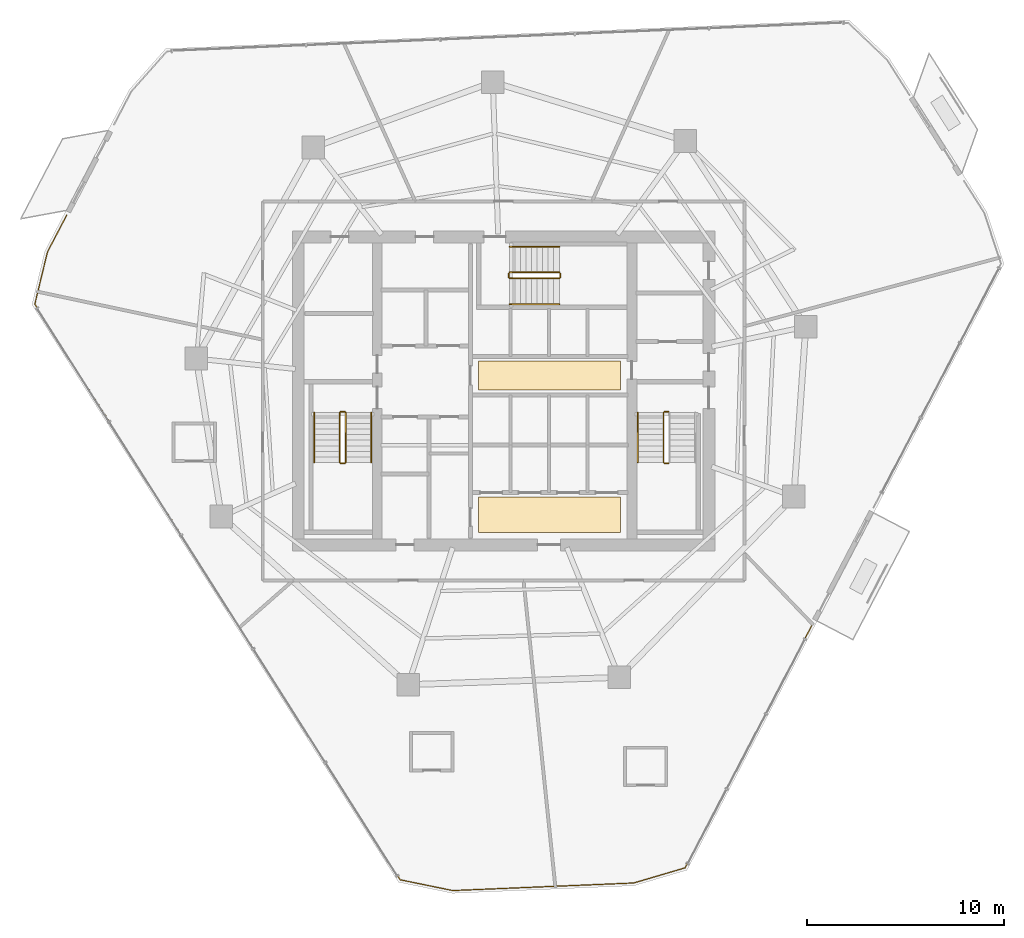
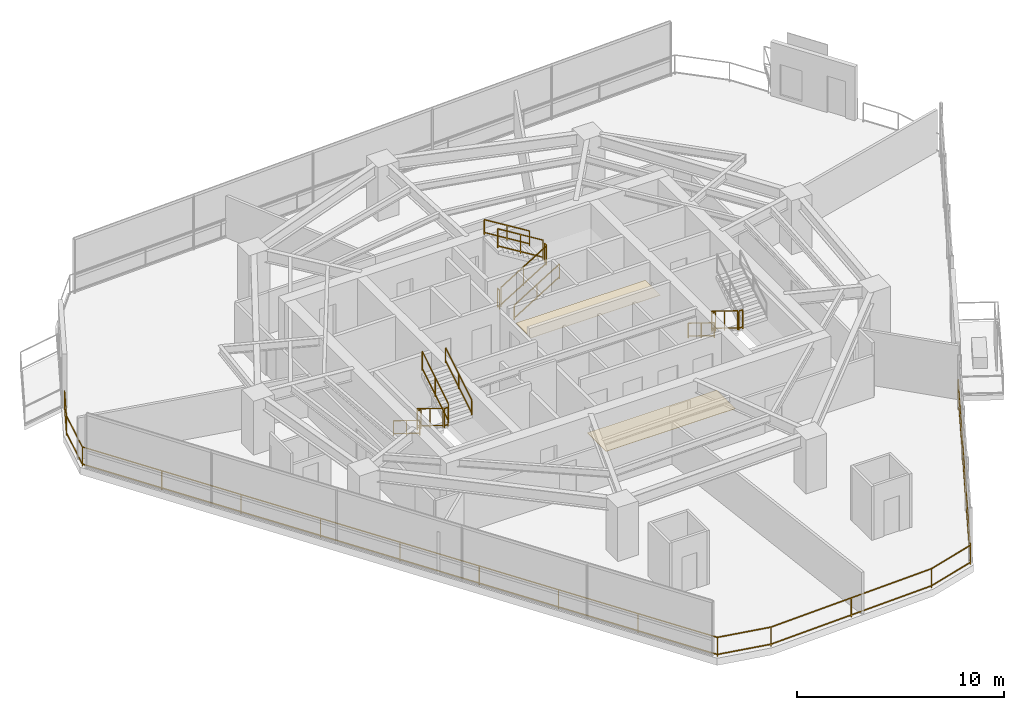
# One storey, part 24 of 25: 17 railings, 2 coverings.
"""IFC4 building model written with IfcOpenShell, lengths in metres."""

from ifc_helpers import new_model, si_unit, direction, frame, origin, origin_2d, place, context, subcontext, project, spatial, rectangle, extrude, material, layer, layer_set, type_object, element, save


model = new_model("IFC4")

# Units and contexts
model_context = context("Model", 3, precision=1e-05, world=origin(), true_north=direction((0.0, 1.0)))
body_context = subcontext(model_context, "Body", "Model", "MODEL_VIEW")
ifc_project = project(units=[si_unit("LENGTHUNIT", "METRE"), si_unit("AREAUNIT", "SQUARE_METRE"), si_unit("VOLUMEUNIT", "CUBIC_METRE"), si_unit("PLANEANGLEUNIT", "RADIAN"), si_unit("MASSUNIT", "GRAM", prefix="KILO")], contexts=[model_context])

# Site, building, storey
site_placement = place(None, origin())
site = spatial("IfcSite", under=ifc_project, at=site_placement, CompositionType="ELEMENT")
building_placement = place(site_placement, origin())
building = spatial("IfcBuilding", under=site, at=building_placement, Name="Qarnah Convention Tower", CompositionType="ELEMENT")
storey_placement = place(building_placement, frame((0.0, 0.0, 76.35009765625)))
storey = spatial("IfcBuildingStorey", under=building, at=storey_placement, Name="L19", CompositionType="ELEMENT", Elevation=76.35009765625)

# Coverings
ifc_material_1 = material(Name="Mineral fibre acoustic ceiling")
ifc_layer_1 = layer(ifc_material_1, 0.02001953125)
ifc_layer_set_1 = layer_set([ifc_layer_1], Name="Mineral fibre acoustic ceiling")
covering_type_1 = type_object("IfcCoveringType", Name="COV-CEIL-20", PredefinedType="CEILING", material=ifc_layer_set_1)
covering_1_placement = place(storey_placement, frame((39.52001953125, 27.179931640625, 2.289794921875), z_axis=(0.0, 0.0, 1.0), x_axis=(1.0, 0.0, 0.0)))
element("IfcCovering", 1, at=covering_1_placement, inside=storey, type_object=covering_type_1, Name="L19 lift lobby acoustic ceiling", PredefinedType="CEILING", context=body_context, shape_type="SweptSolid", body=[
    extrude(rectangle(XDim=7.199951171875, YDim=1.449951171875, at=origin_2d()), origin(), (0.0, 0.0, 1.0), 0.02001953125),
])
ifc_material_2 = material(Name="Porcelain stone floor tile", Category="masonry")
ifc_layer_2 = layer(ifc_material_2, 0.02001953125)
ifc_layer_set_2 = layer_set([ifc_layer_2], Name="Porcelain stone floor tile")
covering_type_2 = type_object("IfcCoveringType", Name="COV-FLOOR-20", PredefinedType="FLOORING", material=ifc_layer_set_2)
covering_2_placement = place(storey_placement, frame((39.52001953125, 20.1201171875, 0.0), z_axis=(0.0, 0.0, 1.0), x_axis=(1.0, 0.0, 0.0)))
element("IfcCovering", 2, at=covering_2_placement, inside=storey, type_object=covering_type_2, Name="L19 lift lobby porcelain stone flooring", PredefinedType="FLOORING", context=body_context, shape_type="SweptSolid", body=[
    extrude(rectangle(XDim=7.199951171875, YDim=1.800048828125, at=origin_2d()), origin(), (0.0, 0.0, 1.0), 0.02001953125),
])

# Railings
ifc_material_3 = material(Name="Black anodised aluminium", Category="aluminium")
railing_type_1 = type_object("IfcRailingType", Name="RL-EXT-GUARD-1150", PredefinedType="GUARDRAIL", material=ifc_material_3)
railing_1_placement = place(storey_placement, frame((52.85791015625, 14.60107421875, 0.0)))
element("IfcRailing", 3, at=railing_1_placement, inside=storey, type_object=railing_type_1, Name="L19 slab-edge perimeter safety guard 03", PredefinedType="GUARDRAIL", context=body_context, shape_type="SweptSolid", body=[
    extrude(rectangle(XDim=0.048095703125, YDim=0.048095703125, at=origin_2d()), frame((0.0, 0.0, 1.1259765625), z_axis=(-0.463305130375, -0.886198824287, 0.0), x_axis=(0.886198824287, -0.463305130375, 0.0)), (0.0, 0.0, 1.0), 13.949462890625),
    extrude(rectangle(XDim=0.048095703125, YDim=0.048095703125, at=origin_2d()), frame((0.0, 0.0, 0.1201171875), z_axis=(-0.463305130375, -0.886198824287, 0.0), x_axis=(0.886198824287, -0.463305130375, 0.0)), (0.0, 0.0, 1.0), 13.949462890625),
    extrude(rectangle(XDim=0.048095703125, YDim=0.048095703125, at=origin_2d()), frame((-6.462890625, -12.362060546875, 1.1259765625), z_axis=(-0.959233795151, -0.282613740358, 0.0), x_axis=(0.282613740358, -0.959233795151, 0.0)), (0.0, 0.0, 1.0), 2.7177734375),
    extrude(rectangle(XDim=0.048095703125, YDim=0.048095703125, at=origin_2d()), frame((-6.462890625, -12.362060546875, 0.1201171875), z_axis=(-0.959233795151, -0.282613740358, 0.0), x_axis=(0.282613740358, -0.959233795151, 0.0)), (0.0, 0.0, 1.0), 2.7177734375),
    extrude(rectangle(XDim=0.048095703125, YDim=0.048095703125, at=origin_2d()), frame((-9.06982421875, -13.130126953125, 1.1259765625), z_axis=(-0.999127528485, -0.041763402925, 0.0), x_axis=(0.041763402925, -0.999127528485, 0.0)), (0.0, 0.0, 1.0), 9.172119140625),
    extrude(rectangle(XDim=0.048095703125, YDim=0.048095703125, at=origin_2d()), frame((-9.06982421875, -13.130126953125, 0.1201171875), z_axis=(-0.999127528485, -0.041763402925, 0.0), x_axis=(0.041763402925, -0.999127528485, 0.0)), (0.0, 0.0, 1.0), 9.172119140625),
    extrude(rectangle(XDim=0.048095703125, YDim=0.048095703125, at=origin_2d()), frame((-18.23388671875, -13.51318359375, 1.1259765625), z_axis=(-0.979612218493, 0.200897738611, 0.0), x_axis=(-0.200897738611, -0.979612218493, 0.0)), (0.0, 0.0, 1.0), 2.718505859375),
    extrude(rectangle(XDim=0.048095703125, YDim=0.048095703125, at=origin_2d()), frame((-18.23388671875, -13.51318359375, 0.1201171875), z_axis=(-0.979612218493, 0.200897738611, 0.0), x_axis=(-0.200897738611, -0.979612218493, 0.0)), (0.0, 0.0, 1.0), 2.718505859375),
    extrude(rectangle(XDim=0.048095703125, YDim=0.048095703125, at=origin_2d()), frame((-20.89697265625, -12.967041015625, 1.1259765625), z_axis=(-0.535813974041, 0.84433606178, 0.0), x_axis=(-0.84433606178, -0.535813974041, 0.0)), (0.0, 0.0, 1.0), 34.53955078125),
    extrude(rectangle(XDim=0.048095703125, YDim=0.048095703125, at=origin_2d()), frame((-20.89697265625, -12.967041015625, 0.1201171875), z_axis=(-0.535813974041, 0.84433606178, 0.0), x_axis=(-0.84433606178, -0.535813974041, 0.0)), (0.0, 0.0, 1.0), 34.53955078125),
    extrude(rectangle(XDim=0.048095703125, YDim=0.048095703125, at=origin_2d()), frame((-39.40380859375, 16.196044921875, 1.1259765625), z_axis=(0.235489448951, 0.971876905494, 0.0), x_axis=(-0.971876905494, 0.235489448951, 0.0)), (0.0, 0.0, 1.0), 2.71728515625),
    extrude(rectangle(XDim=0.048095703125, YDim=0.048095703125, at=origin_2d()), frame((-39.40380859375, 16.196044921875, 0.1201171875), z_axis=(0.235489448951, 0.971876905494, 0.0), x_axis=(-0.971876905494, 0.235489448951, 0.0)), (0.0, 0.0, 1.0), 2.71728515625),
    extrude(rectangle(XDim=0.048095703125, YDim=0.048095703125, at=origin_2d()), frame((-38.763916015625, 18.8369140625, 1.1259765625), z_axis=(0.463221217694, 0.886242688815, 0.0), x_axis=(-0.886242688815, 0.463221217694, 0.0)), (0.0, 0.0, 1.0), 2.113525390625),
    extrude(rectangle(XDim=0.048095703125, YDim=0.048095703125, at=origin_2d()), frame((-38.763916015625, 18.8369140625, 0.1201171875), z_axis=(0.463221217694, 0.886242688815, 0.0), x_axis=(-0.886242688815, 0.463221217694, 0.0)), (0.0, 0.0, 1.0), 2.113525390625),
    extrude(rectangle(XDim=0.0419921875, YDim=0.0419921875, at=origin_2d()), origin(), (0.0, 0.0, 1.0), 1.101806640625),
    extrude(rectangle(XDim=0.0419921875, YDim=0.0419921875, at=origin_2d()), frame((-2.154296875, -4.12060546875, 0.0)), (0.0, 0.0, 1.0), 1.101806640625),
    extrude(rectangle(XDim=0.0419921875, YDim=0.0419921875, at=origin_2d()), frame((-4.30859375, -8.241455078125, 0.0)), (0.0, 0.0, 1.0), 1.101806640625),
    extrude(rectangle(XDim=0.0419921875, YDim=0.0419921875, at=origin_2d()), frame((-6.462890625, -12.362060546875, 0.0)), (0.0, 0.0, 1.0), 1.101806640625),
    extrude(rectangle(XDim=0.0419921875, YDim=0.0419921875, at=origin_2d()), frame((-9.06982421875, -13.130126953125, 0.0)), (0.0, 0.0, 1.0), 1.101806640625),
    extrude(rectangle(XDim=0.0419921875, YDim=0.0419921875, at=origin_2d()), frame((-13.65185546875, -13.32177734375, 0.0)), (0.0, 0.0, 1.0), 1.101806640625),
    extrude(rectangle(XDim=0.0419921875, YDim=0.0419921875, at=origin_2d()), frame((-18.23388671875, -13.51318359375, 0.0)), (0.0, 0.0, 1.0), 1.101806640625),
    extrude(rectangle(XDim=0.0419921875, YDim=0.0419921875, at=origin_2d()), frame((-20.89697265625, -12.967041015625, 0.0)), (0.0, 0.0, 1.0), 1.101806640625),
    extrude(rectangle(XDim=0.0419921875, YDim=0.0419921875, at=origin_2d()), frame((-23.21044921875, -9.32177734375, 0.0)), (0.0, 0.0, 1.0), 1.101806640625),
    extrude(rectangle(XDim=0.0419921875, YDim=0.0419921875, at=origin_2d()), frame((-25.523681640625, -5.67626953125, 0.0)), (0.0, 0.0, 1.0), 1.101806640625),
    extrude(rectangle(XDim=0.0419921875, YDim=0.0419921875, at=origin_2d()), frame((-27.8369140625, -2.03076171875, 0.0)), (0.0, 0.0, 1.0), 1.101806640625),
    extrude(rectangle(XDim=0.0419921875, YDim=0.0419921875, at=origin_2d()), frame((-30.150390625, 1.614501953125, 0.0)), (0.0, 0.0, 1.0), 1.101806640625),
    extrude(rectangle(XDim=0.0419921875, YDim=0.0419921875, at=origin_2d()), frame((-32.4638671875, 5.259765625, 0.0)), (0.0, 0.0, 1.0), 1.101806640625),
    extrude(rectangle(XDim=0.0419921875, YDim=0.0419921875, at=origin_2d()), frame((-34.777099609375, 8.9052734375, 0.0)), (0.0, 0.0, 1.0), 1.101806640625),
    extrude(rectangle(XDim=0.0419921875, YDim=0.0419921875, at=origin_2d()), frame((-37.09033203125, 12.55078125, 0.0)), (0.0, 0.0, 1.0), 1.101806640625),
    extrude(rectangle(XDim=0.0419921875, YDim=0.0419921875, at=origin_2d()), frame((-39.40380859375, 16.196044921875, 0.0)), (0.0, 0.0, 1.0), 1.101806640625),
    extrude(rectangle(XDim=0.0419921875, YDim=0.0419921875, at=origin_2d()), frame((-38.763916015625, 18.8369140625, 0.0)), (0.0, 0.0, 1.0), 1.101806640625),
    extrude(rectangle(XDim=0.0419921875, YDim=0.0419921875, at=origin_2d()), frame((-37.784912109375, 20.7099609375, 0.0)), (0.0, 0.0, 1.0), 1.101806640625),
])
ifc_material_4 = material(Name="Structural steel S355JR", Category="steel")
railing_type_2 = type_object("IfcRailingType", Name="RL-STAIR-GUARD-1150", PredefinedType="GUARDRAIL", material=ifc_material_4)
railing_2_placement = place(storey_placement, frame((28.89990234375, 25.300048828125, 0.17236328125)))
element("IfcRailing", 4, at=railing_2_placement, inside=storey, type_object=railing_type_2, Name="L19 ST-1 stair guard 1", PredefinedType="GUARDRAIL", context=body_context, shape_type="SweptSolid", body=[
    extrude(rectangle(XDim=0.048095703125, YDim=0.048095703125, at=origin_2d()), frame((0.0, 0.0, 1.1259765625), z_axis=(0.0, -0.851400495292, 0.524516154772), x_axis=(1.0, 0.0, 0.0)), (0.0, 0.0, 1.0), 2.9599609375),
    extrude(rectangle(XDim=0.048095703125, YDim=0.048095703125, at=origin_2d()), frame((0.0, 0.0, 0.1201171875), z_axis=(0.0, -0.851400495292, 0.524516154772), x_axis=(1.0, 0.0, 0.0)), (0.0, 0.0, 1.0), 2.9599609375),
    extrude(rectangle(XDim=0.0419921875, YDim=0.0419921875, at=origin_2d()), origin(), (0.0, 0.0, 1.0), 1.101806640625),
    extrude(rectangle(XDim=0.0419921875, YDim=0.0419921875, at=origin_2d()), frame((0.0, -1.260009765625, 0.7763671875)), (0.0, 0.0, 1.0), 1.101806640625),
    extrude(rectangle(XDim=0.0419921875, YDim=0.0419921875, at=origin_2d()), frame((0.0, -2.52001953125, 1.552490234375)), (0.0, 0.0, 1.0), 1.101806640625),
])
railing_3_placement = place(storey_placement, frame((28.949951171875, 22.72998046875, 1.724853515625)))
element("IfcRailing", 5, at=railing_3_placement, inside=storey, type_object=railing_type_2, Name="L19 ST-1 stair guard 2", PredefinedType="GUARDRAIL", context=body_context, shape_type="SweptSolid", body=[
    extrude(rectangle(XDim=0.048095703125, YDim=0.048095703125, at=origin_2d()), frame((0.0, 0.0, 1.1259765625), z_axis=(1.0, 0.0, 0.0), x_axis=(0.0, 1.0, 0.0)), (0.0, 0.0, 1.0), 0.199951171875),
    extrude(rectangle(XDim=0.048095703125, YDim=0.048095703125, at=origin_2d()), frame((0.0, 0.0, 0.1201171875), z_axis=(1.0, 0.0, 0.0), x_axis=(0.0, 1.0, 0.0)), (0.0, 0.0, 1.0), 0.199951171875),
    extrude(rectangle(XDim=0.0419921875, YDim=0.0419921875, at=origin_2d()), origin(), (0.0, 0.0, 1.0), 1.101806640625),
    extrude(rectangle(XDim=0.0419921875, YDim=0.0419921875, at=origin_2d()), frame((0.199951171875, 0.0, 0.0)), (0.0, 0.0, 1.0), 1.101806640625),
])
railing_4_placement = place(storey_placement, frame((29.199951171875, 22.780029296875, 1.8974609375)))
element("IfcRailing", 6, at=railing_4_placement, inside=storey, type_object=railing_type_2, Name="L19 ST-1 stair guard 3", PredefinedType="GUARDRAIL", context=body_context, shape_type="SweptSolid", body=[
    extrude(rectangle(XDim=0.048095703125, YDim=0.048095703125, at=origin_2d()), frame((0.0, 0.0, 1.1259765625), z_axis=(0.0, 0.851400495292, 0.524516154772), x_axis=(-1.0, 0.0, 0.0)), (0.0, 0.0, 1.0), 2.9599609375),
    extrude(rectangle(XDim=0.048095703125, YDim=0.048095703125, at=origin_2d()), frame((0.0, 0.0, 0.1201171875), z_axis=(0.0, 0.851400495292, 0.524516154772), x_axis=(-1.0, 0.0, 0.0)), (0.0, 0.0, 1.0), 2.9599609375),
    extrude(rectangle(XDim=0.0419921875, YDim=0.0419921875, at=origin_2d()), origin(), (0.0, 0.0, 1.0), 1.101806640625),
    extrude(rectangle(XDim=0.0419921875, YDim=0.0419921875, at=origin_2d()), frame((0.0, 1.260009765625, 0.7763671875)), (0.0, 0.0, 1.0), 1.101806640625),
    extrude(rectangle(XDim=0.0419921875, YDim=0.0419921875, at=origin_2d()), frame((0.0, 2.52001953125, 1.552490234375)), (0.0, 0.0, 1.0), 1.101806640625),
])
railing_5_placement = place(storey_placement, frame((28.949951171875, 25.35009765625, 0.0)))
element("IfcRailing", 7, at=railing_5_placement, inside=storey, type_object=railing_type_2, Name="L19 ST-1 stair guard 4", PredefinedType="GUARDRAIL", context=body_context, shape_type="SweptSolid", body=[
    extrude(rectangle(XDim=0.048095703125, YDim=0.048095703125, at=origin_2d()), frame((0.0, 0.0, 1.1259765625), z_axis=(1.0, 0.0, 0.0), x_axis=(0.0, 1.0, 0.0)), (0.0, 0.0, 1.0), 0.199951171875),
    extrude(rectangle(XDim=0.048095703125, YDim=0.048095703125, at=origin_2d()), frame((0.0, 0.0, 0.1201171875), z_axis=(1.0, 0.0, 0.0), x_axis=(0.0, 1.0, 0.0)), (0.0, 0.0, 1.0), 0.199951171875),
    extrude(rectangle(XDim=0.0419921875, YDim=0.0419921875, at=origin_2d()), origin(), (0.0, 0.0, 1.0), 1.101806640625),
    extrude(rectangle(XDim=0.0419921875, YDim=0.0419921875, at=origin_2d()), frame((0.199951171875, 0.0, 0.0)), (0.0, 0.0, 1.0), 1.101806640625),
])
railing_6_placement = place(storey_placement, frame((45.300048828125, 25.300048828125, 0.17236328125)))
element("IfcRailing", 8, at=railing_6_placement, inside=storey, type_object=railing_type_2, Name="L19 ST-2 stair guard 1", PredefinedType="GUARDRAIL", context=body_context, shape_type="SweptSolid", body=[
    extrude(rectangle(XDim=0.048095703125, YDim=0.048095703125, at=origin_2d()), frame((0.0, 0.0, 1.1259765625), z_axis=(0.0, -0.851400495292, 0.524516154772), x_axis=(1.0, 0.0, 0.0)), (0.0, 0.0, 1.0), 2.9599609375),
    extrude(rectangle(XDim=0.048095703125, YDim=0.048095703125, at=origin_2d()), frame((0.0, 0.0, 0.1201171875), z_axis=(0.0, -0.851400495292, 0.524516154772), x_axis=(1.0, 0.0, 0.0)), (0.0, 0.0, 1.0), 2.9599609375),
    extrude(rectangle(XDim=0.0419921875, YDim=0.0419921875, at=origin_2d()), origin(), (0.0, 0.0, 1.0), 1.101806640625),
    extrude(rectangle(XDim=0.0419921875, YDim=0.0419921875, at=origin_2d()), frame((0.0, -1.260009765625, 0.7763671875)), (0.0, 0.0, 1.0), 1.101806640625),
    extrude(rectangle(XDim=0.0419921875, YDim=0.0419921875, at=origin_2d()), frame((0.0, -2.52001953125, 1.552490234375)), (0.0, 0.0, 1.0), 1.101806640625),
])
for number, where, name in (
    (9, (45.35009765625, 22.72998046875, 1.724853515625), "L19 ST-2 stair guard 2"),
    (10, (45.35009765625, 25.35009765625, 0.0), "L19 ST-2 stair guard 4"),
):
    element("IfcRailing", number, at=place(storey_placement, frame(where)), inside=storey, type_object=railing_type_2, Name=name, PredefinedType="GUARDRAIL", context=body_context, shape_type="SweptSolid", body=[
        extrude(rectangle(XDim=0.048095703125, YDim=0.048095703125, at=origin_2d()), frame((0.0, 0.0, 1.1259765625), z_axis=(1.0, 0.0, 0.0), x_axis=(0.0, 1.0, 0.0)), (0.0, 0.0, 1.0), 0.199951171875),
        extrude(rectangle(XDim=0.048095703125, YDim=0.048095703125, at=origin_2d()), frame((0.0, 0.0, 0.1201171875), z_axis=(1.0, 0.0, 0.0), x_axis=(0.0, 1.0, 0.0)), (0.0, 0.0, 1.0), 0.199951171875),
        extrude(rectangle(XDim=0.0419921875, YDim=0.0419921875, at=origin_2d()), origin(), (0.0, 0.0, 1.0), 1.101806640625),
        extrude(rectangle(XDim=0.0419921875, YDim=0.0419921875, at=origin_2d()), frame((0.199951171875, 0.0, 0.0)), (0.0, 0.0, 1.0), 1.101806640625),
    ])
railing_7_placement = place(storey_placement, frame((37.5, 32.10009765625, 0.17236328125)))
element("IfcRailing", 11, at=railing_7_placement, inside=storey, type_object=railing_type_2, Name="L19 ST-3 stair guard 1", PredefinedType="GUARDRAIL", context=body_context, shape_type="SweptSolid", body=[
    extrude(rectangle(XDim=0.048095703125, YDim=0.048095703125, at=origin_2d()), frame((0.0, 0.0, 1.1259765625), z_axis=(0.851400495292, 0.0, 0.524516154772), x_axis=(0.0, 1.0, 0.0)), (0.0, 0.0, 1.0), 2.9599609375),
    extrude(rectangle(XDim=0.048095703125, YDim=0.048095703125, at=origin_2d()), frame((0.0, 0.0, 0.1201171875), z_axis=(0.851400495292, 0.0, 0.524516154772), x_axis=(0.0, 1.0, 0.0)), (0.0, 0.0, 1.0), 2.9599609375),
    extrude(rectangle(XDim=0.0419921875, YDim=0.0419921875, at=origin_2d()), origin(), (0.0, 0.0, 1.0), 1.101806640625),
    extrude(rectangle(XDim=0.0419921875, YDim=0.0419921875, at=origin_2d()), frame((1.260009765625, 0.0, 0.7763671875)), (0.0, 0.0, 1.0), 1.101806640625),
    extrude(rectangle(XDim=0.0419921875, YDim=0.0419921875, at=origin_2d()), frame((2.52001953125, 0.0, 1.552490234375)), (0.0, 0.0, 1.0), 1.101806640625),
])
railing_8_placement = place(storey_placement, frame((40.070068359375, 32.14990234375, 1.724853515625)))
element("IfcRailing", 12, at=railing_8_placement, inside=storey, type_object=railing_type_2, Name="L19 ST-3 stair guard 2", PredefinedType="GUARDRAIL", context=body_context, shape_type="SweptSolid", body=[
    extrude(rectangle(XDim=0.048095703125, YDim=0.048095703125, at=origin_2d()), frame((0.0, 0.0, 1.1259765625), z_axis=(0.0, 1.0, 0.0), x_axis=(-1.0, 0.0, 0.0)), (0.0, 0.0, 1.0), 0.2001953125),
    extrude(rectangle(XDim=0.048095703125, YDim=0.048095703125, at=origin_2d()), frame((0.0, 0.0, 0.1201171875), z_axis=(0.0, 1.0, 0.0), x_axis=(-1.0, 0.0, 0.0)), (0.0, 0.0, 1.0), 0.2001953125),
    extrude(rectangle(XDim=0.0419921875, YDim=0.0419921875, at=origin_2d()), origin(), (0.0, 0.0, 1.0), 1.101806640625),
    extrude(rectangle(XDim=0.0419921875, YDim=0.0419921875, at=origin_2d()), frame((0.0, 0.2001953125, 0.0)), (0.0, 0.0, 1.0), 1.101806640625),
])
railing_9_placement = place(storey_placement, frame((40.02001953125, 32.39990234375, 1.8974609375)))
element("IfcRailing", 13, at=railing_9_placement, inside=storey, type_object=railing_type_2, Name="L19 ST-3 stair guard 3", PredefinedType="GUARDRAIL", context=body_context, shape_type="SweptSolid", body=[
    extrude(rectangle(XDim=0.048095703125, YDim=0.048095703125, at=origin_2d()), frame((0.0, 0.0, 1.1259765625), z_axis=(-0.851400495292, 0.0, 0.524516154772), x_axis=(0.0, -1.0, 0.0)), (0.0, 0.0, 1.0), 2.9599609375),
    extrude(rectangle(XDim=0.048095703125, YDim=0.048095703125, at=origin_2d()), frame((0.0, 0.0, 0.1201171875), z_axis=(-0.851400495292, 0.0, 0.524516154772), x_axis=(0.0, -1.0, 0.0)), (0.0, 0.0, 1.0), 2.9599609375),
    extrude(rectangle(XDim=0.0419921875, YDim=0.0419921875, at=origin_2d()), origin(), (0.0, 0.0, 1.0), 1.101806640625),
    extrude(rectangle(XDim=0.0419921875, YDim=0.0419921875, at=origin_2d()), frame((-1.260009765625, 0.0, 0.7763671875)), (0.0, 0.0, 1.0), 1.101806640625),
    extrude(rectangle(XDim=0.0419921875, YDim=0.0419921875, at=origin_2d()), frame((-2.52001953125, 0.0, 1.552490234375)), (0.0, 0.0, 1.0), 1.101806640625),
])
railing_10_placement = place(storey_placement, frame((37.449951171875, 32.14990234375, 0.0)))
element("IfcRailing", 14, at=railing_10_placement, inside=storey, type_object=railing_type_2, Name="L19 ST-3 stair guard 4", PredefinedType="GUARDRAIL", context=body_context, shape_type="SweptSolid", body=[
    extrude(rectangle(XDim=0.048095703125, YDim=0.048095703125, at=origin_2d()), frame((0.0, 0.0, 1.1259765625), z_axis=(0.0, 1.0, 0.0), x_axis=(-1.0, 0.0, 0.0)), (0.0, 0.0, 1.0), 0.2001953125),
    extrude(rectangle(XDim=0.048095703125, YDim=0.048095703125, at=origin_2d()), frame((0.0, 0.0, 0.1201171875), z_axis=(0.0, 1.0, 0.0), x_axis=(-1.0, 0.0, 0.0)), (0.0, 0.0, 1.0), 0.2001953125),
    extrude(rectangle(XDim=0.0419921875, YDim=0.0419921875, at=origin_2d()), origin(), (0.0, 0.0, 1.0), 1.101806640625),
    extrude(rectangle(XDim=0.0419921875, YDim=0.0419921875, at=origin_2d()), frame((0.0, 0.2001953125, 0.0)), (0.0, 0.0, 1.0), 1.101806640625),
])
railing_type_3 = type_object("IfcRailingType", Name="RL-STAIR-HAND-900", PredefinedType="HANDRAIL", material=ifc_material_4)
railing_11_placement = place(storey_placement, frame((27.60009765625, 25.300048828125, 0.17236328125)))
element("IfcRailing", 15, at=railing_11_placement, inside=storey, type_object=railing_type_3, Name="L19 ST-1 stair handrail 1", PredefinedType="HANDRAIL", context=body_context, shape_type="SweptSolid", body=[
    extrude(rectangle(XDim=0.048095703125, YDim=0.048095703125, at=origin_2d()), frame((0.0, 0.0, 0.8759765625), z_axis=(0.0, -0.851400495292, 0.524516154772), x_axis=(1.0, 0.0, 0.0)), (0.0, 0.0, 1.0), 2.9599609375),
    extrude(rectangle(XDim=0.048095703125, YDim=0.048095703125, at=origin_2d()), frame((0.0, 0.0, 0.1201171875), z_axis=(0.0, -0.851400495292, 0.524516154772), x_axis=(1.0, 0.0, 0.0)), (0.0, 0.0, 1.0), 2.9599609375),
    extrude(rectangle(XDim=0.0419921875, YDim=0.0419921875, at=origin_2d()), origin(), (0.0, 0.0, 1.0), 0.851806640625),
    extrude(rectangle(XDim=0.0419921875, YDim=0.0419921875, at=origin_2d()), frame((0.0, -1.260009765625, 0.7763671875)), (0.0, 0.0, 1.0), 0.851806640625),
    extrude(rectangle(XDim=0.0419921875, YDim=0.0419921875, at=origin_2d()), frame((0.0, -2.52001953125, 1.552490234375)), (0.0, 0.0, 1.0), 0.851806640625),
])
railing_12_placement = place(storey_placement, frame((30.5, 22.780029296875, 1.8974609375)))
element("IfcRailing", 16, at=railing_12_placement, inside=storey, type_object=railing_type_3, Name="L19 ST-1 stair handrail 2", PredefinedType="HANDRAIL", context=body_context, shape_type="SweptSolid", body=[
    extrude(rectangle(XDim=0.048095703125, YDim=0.048095703125, at=origin_2d()), frame((0.0, 0.0, 0.8759765625), z_axis=(0.0, 0.851400495292, 0.524516154772), x_axis=(-1.0, 0.0, 0.0)), (0.0, 0.0, 1.0), 2.9599609375),
    extrude(rectangle(XDim=0.048095703125, YDim=0.048095703125, at=origin_2d()), frame((0.0, 0.0, 0.1201171875), z_axis=(0.0, 0.851400495292, 0.524516154772), x_axis=(-1.0, 0.0, 0.0)), (0.0, 0.0, 1.0), 2.9599609375),
    extrude(rectangle(XDim=0.0419921875, YDim=0.0419921875, at=origin_2d()), origin(), (0.0, 0.0, 1.0), 0.851806640625),
    extrude(rectangle(XDim=0.0419921875, YDim=0.0419921875, at=origin_2d()), frame((0.0, 1.260009765625, 0.7763671875)), (0.0, 0.0, 1.0), 0.851806640625),
    extrude(rectangle(XDim=0.0419921875, YDim=0.0419921875, at=origin_2d()), frame((0.0, 2.52001953125, 1.552490234375)), (0.0, 0.0, 1.0), 0.851806640625),
])
railing_13_placement = place(storey_placement, frame((44.0, 25.300048828125, 0.17236328125)))
element("IfcRailing", 17, at=railing_13_placement, inside=storey, type_object=railing_type_3, Name="L19 ST-2 stair handrail 1", PredefinedType="HANDRAIL", context=body_context, shape_type="SweptSolid", body=[
    extrude(rectangle(XDim=0.048095703125, YDim=0.048095703125, at=origin_2d()), frame((0.0, 0.0, 0.8759765625), z_axis=(0.0, -0.851400495292, 0.524516154772), x_axis=(1.0, 0.0, 0.0)), (0.0, 0.0, 1.0), 2.9599609375),
    extrude(rectangle(XDim=0.048095703125, YDim=0.048095703125, at=origin_2d()), frame((0.0, 0.0, 0.1201171875), z_axis=(0.0, -0.851400495292, 0.524516154772), x_axis=(1.0, 0.0, 0.0)), (0.0, 0.0, 1.0), 2.9599609375),
    extrude(rectangle(XDim=0.0419921875, YDim=0.0419921875, at=origin_2d()), origin(), (0.0, 0.0, 1.0), 0.851806640625),
    extrude(rectangle(XDim=0.0419921875, YDim=0.0419921875, at=origin_2d()), frame((0.0, -1.260009765625, 0.7763671875)), (0.0, 0.0, 1.0), 0.851806640625),
    extrude(rectangle(XDim=0.0419921875, YDim=0.0419921875, at=origin_2d()), frame((0.0, -2.52001953125, 1.552490234375)), (0.0, 0.0, 1.0), 0.851806640625),
])
railing_14_placement = place(storey_placement, frame((37.5, 30.800048828125, 0.17236328125)))
element("IfcRailing", 18, at=railing_14_placement, inside=storey, type_object=railing_type_3, Name="L19 ST-3 stair handrail 1", PredefinedType="HANDRAIL", context=body_context, shape_type="SweptSolid", body=[
    extrude(rectangle(XDim=0.048095703125, YDim=0.048095703125, at=origin_2d()), frame((0.0, 0.0, 0.8759765625), z_axis=(0.851400495292, 0.0, 0.524516154772), x_axis=(0.0, 1.0, 0.0)), (0.0, 0.0, 1.0), 2.9599609375),
    extrude(rectangle(XDim=0.048095703125, YDim=0.048095703125, at=origin_2d()), frame((0.0, 0.0, 0.1201171875), z_axis=(0.851400495292, 0.0, 0.524516154772), x_axis=(0.0, 1.0, 0.0)), (0.0, 0.0, 1.0), 2.9599609375),
    extrude(rectangle(XDim=0.0419921875, YDim=0.0419921875, at=origin_2d()), origin(), (0.0, 0.0, 1.0), 0.851806640625),
    extrude(rectangle(XDim=0.0419921875, YDim=0.0419921875, at=origin_2d()), frame((1.260009765625, 0.0, 0.7763671875)), (0.0, 0.0, 1.0), 0.851806640625),
    extrude(rectangle(XDim=0.0419921875, YDim=0.0419921875, at=origin_2d()), frame((2.52001953125, 0.0, 1.552490234375)), (0.0, 0.0, 1.0), 0.851806640625),
])
railing_15_placement = place(storey_placement, frame((40.02001953125, 33.699951171875, 1.8974609375)))
element("IfcRailing", 19, at=railing_15_placement, inside=storey, type_object=railing_type_3, Name="L19 ST-3 stair handrail 2", PredefinedType="HANDRAIL", context=body_context, shape_type="SweptSolid", body=[
    extrude(rectangle(XDim=0.048095703125, YDim=0.048095703125, at=origin_2d()), frame((0.0, 0.0, 0.8759765625), z_axis=(-0.851400495292, 0.0, 0.524516154772), x_axis=(0.0, -1.0, 0.0)), (0.0, 0.0, 1.0), 2.9599609375),
    extrude(rectangle(XDim=0.048095703125, YDim=0.048095703125, at=origin_2d()), frame((0.0, 0.0, 0.1201171875), z_axis=(-0.851400495292, 0.0, 0.524516154772), x_axis=(0.0, -1.0, 0.0)), (0.0, 0.0, 1.0), 2.9599609375),
    extrude(rectangle(XDim=0.0419921875, YDim=0.0419921875, at=origin_2d()), origin(), (0.0, 0.0, 1.0), 0.851806640625),
    extrude(rectangle(XDim=0.0419921875, YDim=0.0419921875, at=origin_2d()), frame((-1.260009765625, 0.0, 0.7763671875)), (0.0, 0.0, 1.0), 0.851806640625),
    extrude(rectangle(XDim=0.0419921875, YDim=0.0419921875, at=origin_2d()), frame((-2.52001953125, 0.0, 1.552490234375)), (0.0, 0.0, 1.0), 0.851806640625),
])

save(model, "model.ifc")
